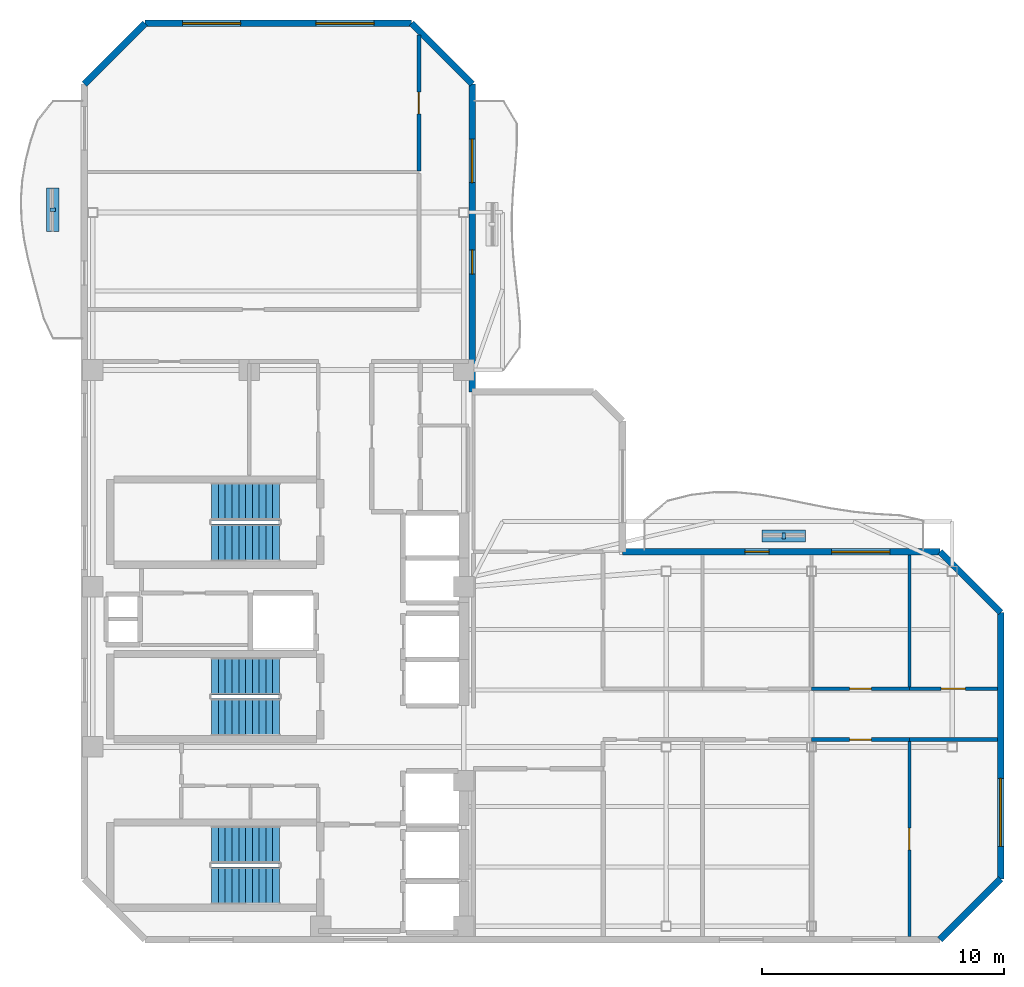
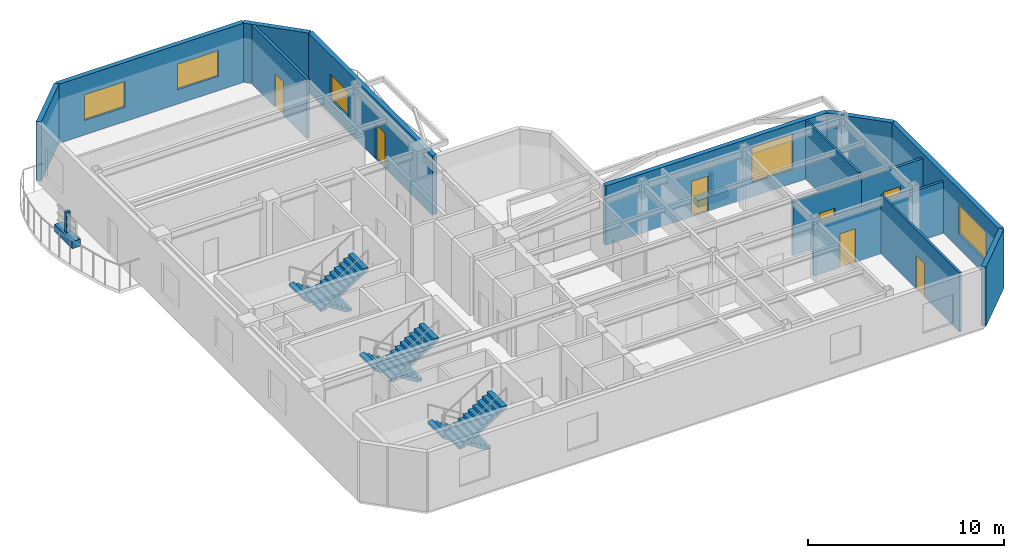
# One storey, part 5 of 8: 15 walls, 7 doors, 6 stair flights, 5 windows, 4 discrete accessories, 12 openings, 3 elements without a shape of their own.
"""IFC4 building model written with IfcOpenShell, lengths in metres."""

import ifcopenshell
import ifcopenshell.guid

model = None  # the IFC model being written
_history = None  # IfcOwnerHistory: only IFC2X3 demands one
_inside = {}  # id of a spatial element -> (the spatial element, [elements in it])
_under = {}  # id of a project, library or spatial element -> (it, [spatial elements below it])
_declared = {}  # id of a project -> (the project, [libraries it declares])
_typed = {}  # id of a type object -> (the type object, [elements of that type])
_made_of = {}  # id of a material, layer set ... -> (it, [elements and type objects made of it])


def new_model(schema):
    """Start an empty IFC model of exactly this schema.

    Asked for "IFC4X3", IfcOpenShell would pick the latest addendum, in which some entities
    have other attributes; the version numbers below select the first issue.
    IFC2X3 requires an IfcOwnerHistory on every rooted entity: one is made here for all.
    """
    global model, _history
    if schema == "IFC4X3":
        model = ifcopenshell.file(schema_version=(4, 3, 0, 0))
    else:
        model = ifcopenshell.file(schema=schema)
    _inside.clear()
    _under.clear()
    _declared.clear()
    _typed.clear()
    _made_of.clear()
    _history = None
    if model.schema == "IFC2X3":
        org = make("IfcOrganization", Name="unknown")
        user = make(
            "IfcPersonAndOrganization",
            ThePerson=make("IfcPerson", FamilyName="unknown"),
            TheOrganization=org,
        )
        app = make(
            "IfcApplication",
            ApplicationDeveloper=org,
            Version="unknown",
            ApplicationFullName="unknown",
            ApplicationIdentifier="unknown",
        )
        _history = make(
            "IfcOwnerHistory",
            OwningUser=user,
            OwningApplication=app,
            ChangeAction="ADDED",
            CreationDate=0,
        )
    return model


def make(cls, **values):
    """One entity of the class cls with the attributes given. An attribute that is None is left unset."""
    return model.create_entity(
        cls, **{name: value for name, value in values.items() if value is not None}
    )


def rooted(cls, **values):
    """An entity with a GlobalId (a new one), such as an element, a storey or a relation."""
    return make(cls, GlobalId=ifcopenshell.guid.new(), OwnerHistory=_history, **values)


def si_unit(unit_type, name, prefix=None):
    """IfcSIUnit, for example si_unit("LENGTHUNIT", "METRE", prefix="MILLI")."""
    return make("IfcSIUnit", UnitType=unit_type, Prefix=prefix, Name=name)


def assignment(units):
    """IfcUnitAssignment: the units of a project."""
    return None if units is None else make("IfcUnitAssignment", Units=units)


def point(xyz):
    """IfcCartesianPoint."""
    return None if xyz is None else make("IfcCartesianPoint", Coordinates=xyz)


def direction(xyz):
    """IfcDirection."""
    return None if xyz is None else make("IfcDirection", DirectionRatios=xyz)


def frame(location, z_axis=None, x_axis=None):
    """IfcAxis2Placement3D, a coordinate frame: its origin and axes. An axis left out is left unset."""
    return make(
        "IfcAxis2Placement3D",
        Location=point(location),
        Axis=direction(z_axis),
        RefDirection=direction(x_axis),
    )


def frame_2d(location, x_axis=None):
    """IfcAxis2Placement2D, a coordinate frame in the plane: its origin and x axis."""
    return make(
        "IfcAxis2Placement2D", Location=point(location), RefDirection=direction(x_axis)
    )


def origin():
    """The frame at (0, 0, 0) with its axes left unset."""
    return frame((0.0, 0.0, 0.0))


def origin_2d():
    """The frame at (0, 0) in the plane with its x axis left unset."""
    return frame_2d((0.0, 0.0))


def place(relative_to, where):
    """IfcLocalPlacement: puts the frame where relative to a parent placement (None: the world)."""
    return make(
        "IfcLocalPlacement", PlacementRelTo=relative_to, RelativePlacement=where
    )


def context(
    kind, dimensions, precision=None, world=None, true_north=None, identifier=None
):
    """IfcGeometricRepresentationContext, for example the 3D "Model" context."""
    return make(
        "IfcGeometricRepresentationContext",
        ContextIdentifier=identifier,
        ContextType=kind,
        CoordinateSpaceDimension=dimensions,
        Precision=precision,
        WorldCoordinateSystem=world,
        TrueNorth=true_north,
    )


def subcontext(parent, identifier, kind, view, scale=None):
    """IfcGeometricRepresentationSubContext, for example "Body" below "Model"."""
    return make(
        "IfcGeometricRepresentationSubContext",
        ContextIdentifier=identifier,
        ContextType=kind,
        ParentContext=parent,
        TargetScale=scale,
        TargetView=view,
    )


def project(units=None, contexts=None):
    """IfcProject with its units and contexts."""
    return rooted(
        "IfcProject",
        Name="project",
        RepresentationContexts=contexts,
        UnitsInContext=assignment(units),
    )


def spatial(cls, under=None, at=None, **own):
    """A site, building, storey or space (cls), placed at a placement, below another one or the project."""
    s = rooted(cls, ObjectPlacement=at, **own)
    if under is not None:
        _under.setdefault(under.id(), (under, []))[1].append(s)
    return s


def polyline(points):
    """IfcPolyline through the points."""
    return make("IfcPolyline", Points=[point(p) for p in points])


def profile(cls, at=None, kind="AREA", **sizes):
    """A parametric profile (cls). Its sizes go by their IFC names, for example OverallWidth=200.0."""
    return make(cls, ProfileType=kind, Position=at, **sizes)


def rectangle(**sizes):
    """IfcRectangleProfileDef."""
    return profile("IfcRectangleProfileDef", **sizes)


def outline(outer, holes=None, kind="AREA"):
    """IfcArbitraryClosedProfileDef: a profile drawn as a closed curve; with holes, ...WithVoids."""
    if holes is None:
        return make("IfcArbitraryClosedProfileDef", ProfileType=kind, OuterCurve=outer)
    return make(
        "IfcArbitraryProfileDefWithVoids",
        ProfileType=kind,
        OuterCurve=outer,
        InnerCurves=holes,
    )


def extrude(swept, where, along, depth):
    """IfcExtrudedAreaSolid: the profile swept, set in the frame where, extruded along a direction by depth."""
    return make(
        "IfcExtrudedAreaSolid",
        SweptArea=swept,
        Position=where,
        ExtrudedDirection=direction(along),
        Depth=depth,
    )


def shape(context_of_items, identifier, shape_type, items):
    """IfcShapeRepresentation: the items that make up one representation, for example the "Body"."""
    return make(
        "IfcShapeRepresentation",
        ContextOfItems=context_of_items,
        RepresentationIdentifier=identifier,
        RepresentationType=shape_type,
        Items=items,
    )


def material(Name=None, Category=None):
    """IfcMaterial."""
    return make("IfcMaterial", Name=Name, Category=Category)


def layer(
    of_material, thickness, ventilated=None, Name=None, Category=None, Priority=None
):
    """IfcMaterialLayer: one layer of a wall or slab, of a material (None: an air gap)."""
    return make(
        "IfcMaterialLayer",
        Material=of_material,
        LayerThickness=thickness,
        IsVentilated=ventilated,
        Name=Name,
        Category=Category,
        Priority=Priority,
    )


def layer_set(layers, Name=None):
    """IfcMaterialLayerSet."""
    return make("IfcMaterialLayerSet", MaterialLayers=layers, LayerSetName=Name)


def made_of(thing, what):
    """Note that an element or type object is made of a material, layer set ...; save() writes the relation."""
    if what is not None:
        _made_of.setdefault(what.id(), (what, []))[1].append(thing)
    return thing


def type_object(cls, material=None, **own):
    """A type object (cls), such as IfcWallType, which elements share."""
    return made_of(rooted(cls, **own), material)


def element(
    cls,
    number,
    at=None,
    inside=None,
    cuts=None,
    type_object=None,
    material=None,
    context=None,
    identifier="Body",
    shape_type=None,
    held_by="IfcProductDefinitionShape",
    body=None,
    shapes=None,
    **own,
):
    """One element of the class cls, such as IfcWall. Its Tag is "e" and its number.

    at: its placement. inside: the storey or other place that contains it. cuts: it is an
    opening in that element (IfcRelVoidsElement). A single representation is given by context,
    identifier, shape_type and body (its items); several are given by shapes. held_by: the class
    of the entity that holds the representations. save() writes the other relations.
    """
    e = rooted(cls, Tag="e%d" % number, ObjectPlacement=at, **own)
    if body is not None:
        shapes = [shape(context, identifier, shape_type, body)]
    if shapes is not None:
        e.Representation = make(held_by, Representations=shapes)
    if inside is not None:
        _inside.setdefault(inside.id(), (inside, []))[1].append(e)
    if cuts is not None:
        rooted(
            "IfcRelVoidsElement", RelatingBuildingElement=cuts, RelatedOpeningElement=e
        )
    if type_object is not None:
        _typed.setdefault(type_object.id(), (type_object, []))[1].append(e)
    return made_of(e, material)


def fill(opening, filler):
    """IfcRelFillsElement: the door or window that sits in an opening."""
    return rooted(
        "IfcRelFillsElement",
        RelatingOpeningElement=opening,
        RelatedBuildingElement=filler,
    )


def aggregate(whole, parts):
    """IfcRelAggregates: a whole, such as a stair, and the parts it consists of."""
    return rooted("IfcRelAggregates", RelatingObject=whole, RelatedObjects=parts)


def save(model, path):
    """Write the relations noted so far, then the file.

    IfcRelAggregates (storeys below a building ...), IfcRelContainedInSpatialStructure (elements
    in a storey), IfcRelDefinesByType, IfcRelAssociatesMaterial and IfcRelDeclares: one each for
    every whole, place, type object, material and project.
    """
    for whole, parts in _under.values():
        aggregate(whole, parts)
    for where, things in _inside.values():
        rooted(
            "IfcRelContainedInSpatialStructure",
            RelatedElements=things,
            RelatingStructure=where,
        )
    for kind, things in _typed.values():
        rooted("IfcRelDefinesByType", RelatedObjects=things, RelatingType=kind)
    for what, things in _made_of.values():
        rooted("IfcRelAssociatesMaterial", RelatedObjects=things, RelatingMaterial=what)
    for by, libraries in _declared.values():
        rooted("IfcRelDeclares", RelatingContext=by, RelatedDefinitions=libraries)
    model.write(path)


model = new_model("IFC4")

# Units and contexts
model_context = context("Model", 3, precision=1e-05, world=origin(), true_north=direction((0.0, 1.0)))
body_context = subcontext(model_context, "Body", "Model", "MODEL_VIEW")
ifc_project = project(units=[si_unit("LENGTHUNIT", "METRE"), si_unit("AREAUNIT", "SQUARE_METRE"), si_unit("VOLUMEUNIT", "CUBIC_METRE"), si_unit("PLANEANGLEUNIT", "RADIAN"), si_unit("MASSUNIT", "GRAM", prefix="KILO")], contexts=[model_context])

# Site, building, storey
site_placement = place(None, origin())
site = spatial("IfcSite", under=ifc_project, at=site_placement, CompositionType="ELEMENT")
building_placement = place(site_placement, origin())
building = spatial("IfcBuilding", under=site, at=building_placement, Name="Mawjaban Terraces University", CompositionType="ELEMENT")
storey_placement = place(building_placement, frame((0.0, 0.0, 271.60009765625)))
storey = spatial("IfcBuildingStorey", under=building, at=storey_placement, Name="L66", CompositionType="ELEMENT", Elevation=271.60009765625)

# Wall, opening, door
ifc_material_1 = material(Name="Fire-rated gypsum board on steel stud", Category="steel")
ifc_layer_1 = layer(ifc_material_1, 0.159912109375)
ifc_layer_set_1 = layer_set([ifc_layer_1], Name="Fire-rated gypsum board on steel stud")
wall_type_1 = type_object("IfcWallType", Name="CorridorPartition_160", PredefinedType="PARTITIONING", material=ifc_layer_set_1)
wall_1_placement = place(storey_placement, frame((52.0, 8.25, 0.0), z_axis=(0.0, 0.0, 1.0), x_axis=(1.0, 0.0, 0.0)))
wall_1 = element("IfcWall", 1, at=wall_1_placement, inside=storey, type_object=wall_type_1, Name="L66 Upper East Research Corridor Partition 20", PredefinedType="PARTITIONING", context=body_context, shape_type="SweptSolid", body=[
    extrude(rectangle(XDim=4.030029296875, YDim=0.159912109375, at=frame_2d((2.01513671875, 0.0))), origin(), (0.0, 0.0, 1.0), 3.220947265625),
])
opening_1_placement = place(wall_1_placement, frame((1.56494140625, 0.0, 0.0)))
opening_1 = element("IfcOpeningElement", 2, at=opening_1_placement, cuts=wall_1, Name="Opening ID-090", PredefinedType="OPENING", context=body_context, shape_type="SweptSolid", body=[
    extrude(rectangle(XDim=0.89990234375, YDim=2.10009765625, at=frame_2d((0.449951171875, 1.050048828125))), frame((0.0, 0.08984375, 0.0), z_axis=(0.0, -1.0, 0.0), x_axis=(1.0, 0.0, 0.0)), (0.0, 0.0, 1.0), 0.179931640625),
])
ifc_material_2 = material(Name="Powder-coated steel frame and solid acoustic timber leaf", Category="steel")
door_type_1 = type_object("IfcDoorType", Name="OfficeDoor_900x2100", OperationType="NOTDEFINED", PredefinedType="DOOR", material=ifc_material_2)
door_1_placement = place(opening_1_placement, origin())
door_1 = element("IfcDoor", 3, at=door_1_placement, inside=storey, type_object=door_type_1, Name="L66 Reading Salon 6 Door", OperationType="SINGLE_SWING_RIGHT", OverallHeight=2.10009765625, OverallWidth=0.89990234375, PredefinedType="DOOR", context=body_context, shape_type="SweptSolid", body=[
    extrude(rectangle(XDim=0.89990234375, YDim=2.10009765625, at=frame_2d((0.449951171875, 1.050048828125))), frame((0.0, 0.02490234375, 0.0), z_axis=(0.0, -1.0, 0.0), x_axis=(1.0, 0.0, 0.0)), (0.0, 0.0, 1.0), 0.050048828125),
])
fill(opening_1, door_1)

# Wall
wall_2_placement = place(storey_placement, frame((56.030029296875, 8.25, 0.0), z_axis=(0.0, 0.0, 1.0), x_axis=(1.0, 0.0, 0.0)))
element("IfcWall", 4, at=wall_2_placement, inside=storey, type_object=wall_type_1, Name="L66 Upper East Research Corridor Partition 22", PredefinedType="PARTITIONING", context=body_context, shape_type="SweptSolid", body=[
    extrude(rectangle(XDim=3.636962890625, YDim=0.159912109375, at=frame_2d((1.818359375, 0.0))), origin(), (0.0, 0.0, 1.0), 3.220947265625),
])

# Wall, opening, door
wall_3_placement = place(storey_placement, frame((56.030029296875, 10.35009765625, 0.0), z_axis=(0.0, 0.0, 1.0), x_axis=(-1.0, 0.0, 0.0)))
wall_3 = element("IfcWall", 5, at=wall_3_placement, inside=storey, type_object=wall_type_1, Name="L66 Upper East Research Corridor Partition 23", PredefinedType="PARTITIONING", context=body_context, shape_type="SweptSolid", body=[
    extrude(rectangle(XDim=4.030029296875, YDim=0.159912109375, at=frame_2d((2.01513671875, 0.0))), origin(), (0.0, 0.0, 1.0), 3.371826171875),
])
opening_2_placement = place(wall_3_placement, frame((1.56494140625, 0.0, 0.0)))
opening_2 = element("IfcOpeningElement", 6, at=opening_2_placement, cuts=wall_3, Name="Opening ID-090", PredefinedType="OPENING", context=body_context, shape_type="SweptSolid", body=[
    extrude(rectangle(XDim=0.89990234375, YDim=2.10009765625, at=frame_2d((0.449951171875, 1.050048828125))), frame((0.0, 0.08984375, 0.0), z_axis=(0.0, -1.0, 0.0), x_axis=(1.0, 0.0, 0.0)), (0.0, 0.0, 1.0), 0.179931640625),
])
door_2_placement = place(opening_2_placement, origin())
door_2 = element("IfcDoor", 7, at=door_2_placement, inside=storey, type_object=door_type_1, Name="L66 Academic Counseling Room 7 Door", OperationType="SINGLE_SWING_LEFT", OverallHeight=2.10009765625, OverallWidth=0.89990234375, PredefinedType="DOOR", context=body_context, shape_type="SweptSolid", body=[
    extrude(rectangle(XDim=0.89990234375, YDim=2.10009765625, at=frame_2d((0.449951171875, 1.050048828125))), frame((0.0, 0.02490234375, 0.0), z_axis=(0.0, -1.0, 0.0), x_axis=(1.0, 0.0, 0.0)), (0.0, 0.0, 1.0), 0.050048828125),
])
fill(opening_2, door_2)

wall_4_placement = place(storey_placement, frame((59.6669921875, 10.35009765625, 0.0), z_axis=(0.0, 0.0, 1.0), x_axis=(-1.0, 0.0, 0.0)))
wall_4 = element("IfcWall", 8, at=wall_4_placement, inside=storey, type_object=wall_type_1, Name="L66 Upper East Research Corridor Partition 24", PredefinedType="PARTITIONING", context=body_context, shape_type="SweptSolid", body=[
    extrude(rectangle(XDim=3.636962890625, YDim=0.159912109375, at=frame_2d((1.818359375, 0.0))), origin(), (0.0, 0.0, 1.0), 3.371826171875),
])
opening_3_placement = place(wall_4_placement, frame((1.319091796875, 0.0, 0.0)))
opening_3 = element("IfcOpeningElement", 9, at=opening_3_placement, cuts=wall_4, Name="Opening ID-100", PredefinedType="OPENING", context=body_context, shape_type="SweptSolid", body=[
    extrude(rectangle(XDim=1.0, YDim=2.10009765625, at=frame_2d((0.5, 1.050048828125))), frame((0.0, 0.08984375, 0.0), z_axis=(0.0, -1.0, 0.0), x_axis=(1.0, 0.0, 0.0)), (0.0, 0.0, 1.0), 0.179931640625),
])
door_type_2 = type_object("IfcDoorType", Name="ClassroomDoor_1000x2100", OperationType="NOTDEFINED", PredefinedType="DOOR", material=ifc_material_2)
door_3_placement = place(opening_3_placement, origin())
door_3 = element("IfcDoor", 10, at=door_3_placement, inside=storey, type_object=door_type_2, Name="L66 Classroom 9 Door", OperationType="SINGLE_SWING_LEFT", OverallHeight=2.10009765625, OverallWidth=1.0, PredefinedType="DOOR", context=body_context, shape_type="SweptSolid", body=[
    extrude(rectangle(XDim=1.0, YDim=2.10009765625, at=frame_2d((0.5, 1.050048828125))), frame((0.0, 0.02490234375, 0.0), z_axis=(0.0, -1.0, 0.0), x_axis=(1.0, 0.0, 0.0)), (0.0, 0.0, 1.0), 0.050048828125),
])
fill(opening_3, door_3)

wall_5_placement = place(storey_placement, frame((35.800048828125, 37.31298828125, 0.0), z_axis=(0.0, 0.0, 1.0), x_axis=(0.0, -1.0, 0.0)))
wall_5 = element("IfcWall", 11, at=wall_5_placement, inside=storey, type_object=wall_type_1, Name="L66 Upper North Research Gallery Partition 34", PredefinedType="PARTITIONING", context=body_context, shape_type="SweptSolid", body=[
    extrude(rectangle(XDim=5.594970703125, YDim=0.159912109375, at=frame_2d((2.79736328125, 0.0))), origin(), (0.0, 0.0, 1.0), 3.68994140625),
])
opening_4_placement = place(wall_5_placement, frame((2.347900390625, 0.0, 0.0)))
opening_4 = element("IfcOpeningElement", 12, at=opening_4_placement, cuts=wall_5, Name="Opening ID-090", PredefinedType="OPENING", context=body_context, shape_type="SweptSolid", body=[
    extrude(rectangle(XDim=0.89990234375, YDim=2.10009765625, at=frame_2d((0.449951171875, 1.050048828125))), frame((0.0, 0.08984375, 0.0), z_axis=(0.0, -1.0, 0.0), x_axis=(1.0, 0.0, 0.0)), (0.0, 0.0, 1.0), 0.179931640625),
])
door_4_placement = place(opening_4_placement, origin())
door_4 = element("IfcDoor", 13, at=door_4_placement, inside=storey, type_object=door_type_1, Name="L66 Faculty Office 11 Door", OperationType="SINGLE_SWING_LEFT", OverallHeight=2.10009765625, OverallWidth=0.89990234375, PredefinedType="DOOR", context=body_context, shape_type="SweptSolid", body=[
    extrude(rectangle(XDim=0.89990234375, YDim=2.10009765625, at=frame_2d((0.449951171875, 1.050048828125))), frame((0.0, 0.02490234375, 0.0), z_axis=(0.0, -1.0, 0.0), x_axis=(1.0, 0.0, 0.0)), (0.0, 0.0, 1.0), 0.050048828125),
])
fill(opening_4, door_4)

# Wall
ifc_material_3 = material(Name="Insulated terracotta rainscreen on concrete backup C40/50", Category="masonry")
ifc_layer_2 = layer(ifc_material_3, 0.27490234375)
ifc_layer_set_2 = layer_set([ifc_layer_2], Name="Insulated terracotta rainscreen on concrete backup C40/50")
wall_type_2 = type_object("IfcWallType", Name="ExtTerracottaWall_275", PredefinedType="SOLIDWALL", material=ifc_layer_set_2)
wall_6_placement = place(storey_placement, frame((57.300048828125, 0.0, 0.0), z_axis=(0.0, 0.0, 1.0), x_axis=(0.707106781187, 0.707106781187, 0.0)))
element("IfcWall", 14, at=wall_6_placement, inside=storey, type_object=wall_type_2, Name="L66 Exterior Terracotta Wall 2", PredefinedType="SOLIDWALL", context=body_context, shape_type="SweptSolid", body=[
    extrude(rectangle(XDim=3.53564453125, YDim=0.27490234375, at=frame_2d((1.767822265625, 0.0))), origin(), (0.0, 0.0, 1.0), 3.68994140625),
])

# Wall, opening, window
wall_7_placement = place(storey_placement, frame((59.800048828125, 2.5, 0.0), z_axis=(0.0, 0.0, 1.0), x_axis=(0.0, 1.0, 0.0)))
wall_7 = element("IfcWall", 15, at=wall_7_placement, inside=storey, type_object=wall_type_2, Name="L66 Exterior Terracotta Wall 3", PredefinedType="SOLIDWALL", context=body_context, shape_type="SweptSolid", body=[
    extrude(rectangle(XDim=11.0, YDim=0.27490234375, at=frame_2d((5.5, 0.0))), origin(), (0.0, 0.0, 1.0), 3.68994140625),
])
opening_5_placement = place(wall_7_placement, frame((1.35009765625, 0.0, 0.89990234375)))
opening_5 = element("IfcOpeningElement", 16, at=opening_5_placement, cuts=wall_7, Name="Opening W-09", PredefinedType="OPENING", context=body_context, shape_type="SweptSolid", body=[
    extrude(rectangle(XDim=2.800048828125, YDim=1.800048828125, at=frame_2d((1.39990234375, 0.89990234375))), frame((0.0, 0.1474609375, 0.0), z_axis=(0.0, -1.0, 0.0), x_axis=(1.0, 0.0, 0.0)), (0.0, 0.0, 1.0), 0.294921875),
])
ifc_material_4 = material(Name="Low-E solar-control double glazing in thermally broken aluminium frame", Category="aluminium")
window_type_1 = type_object("IfcWindowType", Name="Win_2800x1800", PartitioningType="SINGLE_PANEL", PredefinedType="WINDOW", material=ifc_material_4)
window_1_placement = place(opening_5_placement, origin())
window_1 = element("IfcWindow", 17, at=window_1_placement, inside=storey, type_object=window_type_1, Name="L66 Facade Window 3.1", OverallHeight=1.800048828125, OverallWidth=2.800048828125, PartitioningType="SINGLE_PANEL", PredefinedType="WINDOW", context=body_context, shape_type="SweptSolid", body=[
    extrude(rectangle(XDim=2.800048828125, YDim=1.800048828125, at=frame_2d((1.39990234375, 0.89990234375))), frame((0.0, 0.030029296875, 0.0), z_axis=(0.0, -1.0, 0.0), x_axis=(1.0, 0.0, 0.0)), (0.0, 0.0, 1.0), 0.06005859375),
])
fill(opening_5, window_1)

# Wall
wall_8_placement = place(storey_placement, frame((59.800048828125, 13.5, 0.0), z_axis=(0.0, 0.0, 1.0), x_axis=(-0.707106781187, 0.707106781187, 0.0)))
element("IfcWall", 18, at=wall_8_placement, inside=storey, type_object=wall_type_2, Name="L66 Exterior Terracotta Wall 4", PredefinedType="SOLIDWALL", context=body_context, shape_type="SweptSolid", body=[
    extrude(rectangle(XDim=3.53564453125, YDim=0.27490234375, at=frame_2d((1.767822265625, 0.0))), origin(), (0.0, 0.0, 1.0), 3.68994140625),
])

# Wall, openings, door, window
wall_9_placement = place(storey_placement, frame((57.300048828125, 16.0, 0.0), z_axis=(0.0, 0.0, 1.0), x_axis=(-1.0, 0.0, 0.0)))
wall_9 = element("IfcWall", 19, at=wall_9_placement, inside=storey, type_object=wall_type_2, Name="L66 Exterior Terracotta Wall 5", PredefinedType="SOLIDWALL", context=body_context, shape_type="SweptSolid", body=[
    extrude(rectangle(XDim=13.10009765625, YDim=0.27490234375, at=frame_2d((6.550048828125, 0.0))), origin(), (0.0, 0.0, 1.0), 3.68994140625),
])
opening_6_placement = place(wall_9_placement, frame((7.050048828125, 0.0, 0.0)))
opening_6 = element("IfcOpeningElement", 20, at=opening_6_placement, cuts=wall_9, Name="Opening BD-100", PredefinedType="OPENING", context=body_context, shape_type="SweptSolid", body=[
    extrude(rectangle(XDim=1.0, YDim=2.199951171875, at=frame_2d((0.5, 1.10009765625))), frame((0.0, 0.1474609375, 0.0), z_axis=(0.0, -1.0, 0.0), x_axis=(1.0, 0.0, 0.0)), (0.0, 0.0, 1.0), 0.294921875),
])
opening_7_placement = place(wall_9_placement, frame((2.074951171875, 0.0, 0.89990234375)))
opening_7 = element("IfcOpeningElement", 21, at=opening_7_placement, cuts=wall_9, Name="Opening W-11", PredefinedType="OPENING", context=body_context, shape_type="SweptSolid", body=[
    extrude(rectangle(XDim=2.39990234375, YDim=2.199951171875, at=frame_2d((1.199951171875, 1.10009765625))), frame((0.0, 0.1474609375, 0.0), z_axis=(0.0, -1.0, 0.0), x_axis=(1.0, 0.0, 0.0)), (0.0, 0.0, 1.0), 0.294921875),
])
ifc_material_5 = material(Name="Thermally broken anodised aluminium and laminated safety glass", Category="aluminium")
door_type_3 = type_object("IfcDoorType", Name="BalconyGlazedDoor_1000x2200", OperationType="NOTDEFINED", PredefinedType="DOOR", material=ifc_material_5)
door_5_placement = place(opening_6_placement, origin())
door_5 = element("IfcDoor", 22, at=door_5_placement, inside=storey, type_object=door_type_3, Name="L66 Balcony Access Door inner_north", OperationType="SINGLE_SWING_LEFT", OverallHeight=2.199951171875, OverallWidth=1.0, PredefinedType="DOOR", context=body_context, shape_type="SweptSolid", body=[
    extrude(rectangle(XDim=1.0, YDim=2.199951171875, at=frame_2d((0.5, 1.10009765625))), frame((0.0, 0.02490234375, 0.0), z_axis=(0.0, -1.0, 0.0), x_axis=(1.0, 0.0, 0.0)), (0.0, 0.0, 1.0), 0.050048828125),
])
fill(opening_6, door_5)
window_type_2 = type_object("IfcWindowType", Name="Win_2400x2200", PartitioningType="SINGLE_PANEL", PredefinedType="WINDOW", material=ifc_material_4)
window_2_placement = place(opening_7_placement, origin())
window_2 = element("IfcWindow", 23, at=window_2_placement, inside=storey, type_object=window_type_2, Name="L66 Facade Window 5.1", OverallHeight=2.199951171875, OverallWidth=2.39990234375, PartitioningType="SINGLE_PANEL", PredefinedType="WINDOW", context=body_context, shape_type="SweptSolid", body=[
    extrude(rectangle(XDim=2.39990234375, YDim=2.199951171875, at=frame_2d((1.199951171875, 1.10009765625))), frame((0.0, 0.030029296875, 0.0), z_axis=(0.0, -1.0, 0.0), x_axis=(1.0, 0.0, 0.0)), (0.0, 0.0, 1.0), 0.06005859375),
])
fill(opening_7, window_2)

wall_10_placement = place(storey_placement, frame((38.0, 22.60009765625, 0.0), z_axis=(0.0, 0.0, 1.0), x_axis=(0.0, 1.0, 0.0)))
wall_10 = element("IfcWall", 24, at=wall_10_placement, inside=storey, type_object=wall_type_2, Name="L66 Exterior Terracotta Wall 9", PredefinedType="SOLIDWALL", context=body_context, shape_type="SweptSolid", body=[
    extrude(rectangle(XDim=12.699951171875, YDim=0.27490234375, at=frame_2d((6.35009765625, 0.0))), origin(), (0.0, 0.0, 1.0), 3.68994140625),
])
opening_8_placement = place(wall_10_placement, frame((4.85009765625, 0.0, 0.0)))
opening_8 = element("IfcOpeningElement", 25, at=opening_8_placement, cuts=wall_10, Name="Opening BD-100", PredefinedType="OPENING", context=body_context, shape_type="SweptSolid", body=[
    extrude(rectangle(XDim=1.0, YDim=2.199951171875, at=frame_2d((0.5, 1.10009765625))), frame((0.0, 0.1474609375, 0.0), z_axis=(0.0, -1.0, 0.0), x_axis=(1.0, 0.0, 0.0)), (0.0, 0.0, 1.0), 0.294921875),
])
opening_9_placement = place(wall_10_placement, frame((8.625, 0.0, 0.89990234375)))
opening_9 = element("IfcOpeningElement", 26, at=opening_9_placement, cuts=wall_10, Name="Opening W-03", PredefinedType="OPENING", context=body_context, shape_type="SweptSolid", body=[
    extrude(rectangle(XDim=1.800048828125, YDim=1.60009765625, at=frame_2d((0.89990234375, 0.800048828125))), frame((0.0, 0.1474609375, 0.0), z_axis=(0.0, -1.0, 0.0), x_axis=(1.0, 0.0, 0.0)), (0.0, 0.0, 1.0), 0.294921875),
])
door_6_placement = place(opening_8_placement, origin())
door_6 = element("IfcDoor", 27, at=door_6_placement, inside=storey, type_object=door_type_3, Name="L66 Balcony Access Door inner_east", OperationType="SINGLE_SWING_LEFT", OverallHeight=2.199951171875, OverallWidth=1.0, PredefinedType="DOOR", context=body_context, shape_type="SweptSolid", body=[
    extrude(rectangle(XDim=1.0, YDim=2.199951171875, at=frame_2d((0.5, 1.10009765625))), frame((0.0, 0.02490234375, 0.0), z_axis=(0.0, -1.0, 0.0), x_axis=(1.0, 0.0, 0.0)), (0.0, 0.0, 1.0), 0.050048828125),
])
fill(opening_8, door_6)
window_type_3 = type_object("IfcWindowType", Name="Win_1800x1600", PartitioningType="SINGLE_PANEL", PredefinedType="WINDOW", material=ifc_material_4)
window_3_placement = place(opening_9_placement, origin())
window_3 = element("IfcWindow", 28, at=window_3_placement, inside=storey, type_object=window_type_3, Name="L66 Facade Window 9.2", OverallHeight=1.60009765625, OverallWidth=1.800048828125, PartitioningType="SINGLE_PANEL", PredefinedType="WINDOW", context=body_context, shape_type="SweptSolid", body=[
    extrude(rectangle(XDim=1.800048828125, YDim=1.60009765625, at=frame_2d((0.89990234375, 0.800048828125))), frame((0.0, 0.030029296875, 0.0), z_axis=(0.0, -1.0, 0.0), x_axis=(1.0, 0.0, 0.0)), (0.0, 0.0, 1.0), 0.06005859375),
])
fill(opening_9, window_3)

# Wall
wall_11_placement = place(storey_placement, frame((38.0, 35.300048828125, 0.0), z_axis=(0.0, 0.0, 1.0), x_axis=(-0.707106781187, 0.707106781187, 0.0)))
element("IfcWall", 29, at=wall_11_placement, inside=storey, type_object=wall_type_2, Name="L66 Exterior Terracotta Wall 10", PredefinedType="SOLIDWALL", context=body_context, shape_type="SweptSolid", body=[
    extrude(rectangle(XDim=3.53564453125, YDim=0.27490234375, at=frame_2d((1.767822265625, 0.0))), origin(), (0.0, 0.0, 1.0), 3.68994140625),
])

# Wall, openings, windows
wall_12_placement = place(storey_placement, frame((35.5, 37.800048828125, 0.0), z_axis=(0.0, 0.0, 1.0), x_axis=(-1.0, 0.0, 0.0)))
wall_12 = element("IfcWall", 30, at=wall_12_placement, inside=storey, type_object=wall_type_2, Name="L66 Exterior Terracotta Wall 11", PredefinedType="SOLIDWALL", context=body_context, shape_type="SweptSolid", body=[
    extrude(rectangle(XDim=11.0, YDim=0.27490234375, at=frame_2d((5.5, 0.0))), origin(), (0.0, 0.0, 1.0), 3.68994140625),
])
opening_10_placement = place(wall_12_placement, frame((1.550048828125, 0.0, 0.89990234375)))
opening_10 = element("IfcOpeningElement", 31, at=opening_10_placement, cuts=wall_12, Name="Opening W-05", PredefinedType="OPENING", context=body_context, shape_type="SweptSolid", body=[
    extrude(rectangle(XDim=2.39990234375, YDim=1.60009765625, at=frame_2d((1.199951171875, 0.800048828125))), frame((0.0, 0.1474609375, 0.0), z_axis=(0.0, -1.0, 0.0), x_axis=(1.0, 0.0, 0.0)), (0.0, 0.0, 1.0), 0.294921875),
])
opening_11_placement = place(wall_12_placement, frame((7.050048828125, 0.0, 0.89990234375)))
opening_11 = element("IfcOpeningElement", 32, at=opening_11_placement, cuts=wall_12, Name="Opening W-05", PredefinedType="OPENING", context=body_context, shape_type="SweptSolid", body=[
    extrude(rectangle(XDim=2.39990234375, YDim=1.60009765625, at=frame_2d((1.199951171875, 0.800048828125))), frame((0.0, 0.1474609375, 0.0), z_axis=(0.0, -1.0, 0.0), x_axis=(1.0, 0.0, 0.0)), (0.0, 0.0, 1.0), 0.294921875),
])
window_type_4 = type_object("IfcWindowType", Name="Win_2400x1600", PartitioningType="SINGLE_PANEL", PredefinedType="WINDOW", material=ifc_material_4)
window_4_placement = place(opening_10_placement, origin())
window_4 = element("IfcWindow", 33, at=window_4_placement, inside=storey, type_object=window_type_4, Name="L66 Facade Window 11.1", OverallHeight=1.60009765625, OverallWidth=2.39990234375, PartitioningType="SINGLE_PANEL", PredefinedType="WINDOW", context=body_context, shape_type="SweptSolid", body=[
    extrude(rectangle(XDim=2.39990234375, YDim=1.60009765625, at=frame_2d((1.199951171875, 0.800048828125))), frame((0.0, 0.030029296875, 0.0), z_axis=(0.0, -1.0, 0.0), x_axis=(1.0, 0.0, 0.0)), (0.0, 0.0, 1.0), 0.06005859375),
])
fill(opening_10, window_4)
window_5_placement = place(opening_11_placement, origin())
window_5 = element("IfcWindow", 34, at=window_5_placement, inside=storey, type_object=window_type_4, Name="L66 Facade Window 11.2", OverallHeight=1.60009765625, OverallWidth=2.39990234375, PartitioningType="SINGLE_PANEL", PredefinedType="WINDOW", context=body_context, shape_type="SweptSolid", body=[
    extrude(rectangle(XDim=2.39990234375, YDim=1.60009765625, at=frame_2d((1.199951171875, 0.800048828125))), frame((0.0, 0.030029296875, 0.0), z_axis=(0.0, -1.0, 0.0), x_axis=(1.0, 0.0, 0.0)), (0.0, 0.0, 1.0), 0.06005859375),
])
fill(opening_11, window_5)

# Wall
wall_13_placement = place(storey_placement, frame((24.5, 37.800048828125, 0.0), z_axis=(0.0, 0.0, 1.0), x_axis=(-0.707106781187, -0.707106781187, 0.0)))
element("IfcWall", 35, at=wall_13_placement, inside=storey, type_object=wall_type_2, Name="L66 Exterior Terracotta Wall 12", PredefinedType="SOLIDWALL", context=body_context, shape_type="SweptSolid", body=[
    extrude(rectangle(XDim=3.53564453125, YDim=0.27490234375, at=frame_2d((1.767822265625, 0.0))), origin(), (0.0, 0.0, 1.0), 3.68994140625),
])

# Wall, opening, door
ifc_material_6 = material(Name="Gypsum plasterboard on steel stud", Category="steel")
ifc_layer_3 = layer(ifc_material_6, 0.125)
ifc_layer_set_3 = layer_set([ifc_layer_3], Name="Gypsum plasterboard on steel stud")
wall_type_3 = type_object("IfcWallType", Name="OfficePartition_125", PredefinedType="PARTITIONING", material=ifc_layer_set_3)
wall_14_placement = place(storey_placement, frame((56.030029296875, 0.133056640625, 0.0), z_axis=(0.0, 0.0, 1.0), x_axis=(0.0, 1.0, 0.0)))
wall_14 = element("IfcWall", 36, at=wall_14_placement, inside=storey, type_object=wall_type_3, Name="L66 Reading Salon 6 Partition 48", PredefinedType="PARTITIONING", context=body_context, shape_type="SweptSolid", body=[
    extrude(rectangle(XDim=8.0419921875, YDim=0.125, at=frame_2d((4.02099609375, 0.0))), origin(), (0.0, 0.0, 1.0), 3.68994140625),
])
opening_12_placement = place(wall_14_placement, frame((3.571044921875, 0.0, 0.0)))
opening_12 = element("IfcOpeningElement", 37, at=opening_12_placement, cuts=wall_14, Name="Opening ID-090", PredefinedType="OPENING", context=body_context, shape_type="SweptSolid", body=[
    extrude(rectangle(XDim=0.89990234375, YDim=2.10009765625, at=frame_2d((0.449951171875, 1.050048828125))), frame((0.0, 0.072509765625, 0.0), z_axis=(0.0, -1.0, 0.0), x_axis=(1.0, 0.0, 0.0)), (0.0, 0.0, 1.0), 0.14501953125),
])
door_7_placement = place(opening_12_placement, origin())
door_7 = element("IfcDoor", 38, at=door_7_placement, inside=storey, type_object=door_type_1, Name="L66 Academic Counseling Room 8 Door", OperationType="SINGLE_SWING_RIGHT", OverallHeight=2.10009765625, OverallWidth=0.89990234375, PredefinedType="DOOR", context=body_context, shape_type="SweptSolid", body=[
    extrude(rectangle(XDim=0.89990234375, YDim=2.10009765625, at=frame_2d((0.449951171875, 1.050048828125))), frame((0.0, 0.02490234375, 0.0), z_axis=(0.0, -1.0, 0.0), x_axis=(1.0, 0.0, 0.0)), (0.0, 0.0, 1.0), 0.050048828125),
])
fill(opening_12, door_7)

# Wall
wall_15_placement = place(storey_placement, frame((56.030029296875, 10.425048828125, 0.0), z_axis=(0.0, 0.0, 1.0), x_axis=(0.0, 1.0, 0.0)))
element("IfcWall", 39, at=wall_15_placement, inside=storey, type_object=wall_type_3, Name="L66 Academic Counseling Room 7 Partition 49", PredefinedType="PARTITIONING", context=body_context, shape_type="SweptSolid", body=[
    extrude(rectangle(XDim=5.44189453125, YDim=0.125, at=frame_2d((2.720947265625, 0.0))), origin(), (0.0, 0.0, 1.0), 3.68994140625),
])

# Stair, stair flights
ifc_material_7 = material(Name="Concrete C40/50", Category="concrete")
stair_type = type_object("IfcStairType", Name="Stair_Core1550_H39", PredefinedType="HALF_TURN_STAIR", material=ifc_material_7)
stair_1_placement = place(storey_placement, origin())
stair_1 = element("IfcStair", 40, at=stair_1_placement, inside=storey, type_object=stair_type, Name="L66 Core Exit Stair 1", PredefinedType="HALF_TURN_STAIR")
stair_flight_type = type_object("IfcStairFlightType", Name="Flight_Core1550_H39", PredefinedType="STRAIGHT", material=ifc_material_7)
stair_flight_1_placement = place(storey_placement, frame((30.050048828125, 3.925048828125, 0.0), z_axis=(0.0, 0.0, 1.0), x_axis=(-1.0, 0.0, 0.0)))
stair_flight_1 = element("IfcStairFlight", 41, at=stair_flight_1_placement, type_object=stair_flight_type, Name="ST-1 flight 1", NumberOfRisers=11, NumberOfTreads=10, PredefinedType="STRAIGHT", RiserHeight=0.177272727, TreadLength=0.28, context=body_context, shape_type="SweptSolid", body=[
    extrude(outline(polyline([(0.0, 0.0), (0.0, 0.17724609375), (0.280029296875, 0.17724609375), (0.280029296875, 0.3544921875), (0.56005859375, 0.3544921875), (0.56005859375, 0.53173828125), (0.840087890625, 0.53173828125), (0.840087890625, 0.708984375), (1.1201171875, 0.708984375), (1.1201171875, 0.886474609375), (1.39990234375, 0.886474609375), (1.39990234375, 1.063720703125), (1.679931640625, 1.063720703125), (1.679931640625, 1.240966796875), (1.9599609375, 1.240966796875), (1.9599609375, 1.418212890625), (2.239990234375, 1.418212890625), (2.239990234375, 1.595458984375), (2.52001953125, 1.595458984375), (2.52001953125, 1.772705078125), (2.800048828125, 1.772705078125), (2.800048828125, 1.949951171875), (2.800048828125, 1.59521484375), (0.2802734375, 0.0), (0.0, 0.0)])), frame((0.0, 0.77490234375, 0.0), z_axis=(0.0, -1.0, 0.0), x_axis=(1.0, 0.0, 0.0)), (0.0, 0.0, 1.0), 1.550048828125),
])
stair_flight_2_placement = place(storey_placement, frame((27.25, 2.22509765625, 1.949951171875), z_axis=(0.0, 0.0, 1.0), x_axis=(1.0, 0.0, 0.0)))
stair_flight_2 = element("IfcStairFlight", 42, at=stair_flight_2_placement, type_object=stair_flight_type, Name="ST-1 flight 2", NumberOfRisers=11, NumberOfTreads=10, PredefinedType="STRAIGHT", RiserHeight=0.177272727, TreadLength=0.28, context=body_context, shape_type="SweptSolid", body=[
    extrude(outline(polyline([(0.0, 0.0), (0.0, 0.17724609375), (0.280029296875, 0.17724609375), (0.280029296875, 0.3544921875), (0.56005859375, 0.3544921875), (0.56005859375, 0.53173828125), (0.840087890625, 0.53173828125), (0.840087890625, 0.708984375), (1.1201171875, 0.708984375), (1.1201171875, 0.886474609375), (1.39990234375, 0.886474609375), (1.39990234375, 1.063720703125), (1.679931640625, 1.063720703125), (1.679931640625, 1.240966796875), (1.9599609375, 1.240966796875), (1.9599609375, 1.418212890625), (2.239990234375, 1.418212890625), (2.239990234375, 1.595458984375), (2.52001953125, 1.595458984375), (2.52001953125, 1.772705078125), (2.800048828125, 1.772705078125), (2.800048828125, 1.949951171875), (2.800048828125, 1.59521484375), (0.2802734375, 0.0), (0.0, 0.0)])), frame((0.0, 0.77490234375, 0.0), z_axis=(0.0, -1.0, 0.0), x_axis=(1.0, 0.0, 0.0)), (0.0, 0.0, 1.0), 1.550048828125),
])
aggregate(stair_1, [stair_flight_1, stair_flight_2])

stair_2_placement = place(storey_placement, origin())
stair_2 = element("IfcStair", 43, at=stair_2_placement, inside=storey, type_object=stair_type, Name="L66 Core Exit Stair 2", PredefinedType="HALF_TURN_STAIR")
stair_flight_3_placement = place(storey_placement, frame((30.050048828125, 18.074951171875, 0.0), z_axis=(0.0, 0.0, 1.0), x_axis=(-1.0, 0.0, 0.0)))
stair_flight_3 = element("IfcStairFlight", 44, at=stair_flight_3_placement, type_object=stair_flight_type, Name="ST-2 flight 1", NumberOfRisers=11, NumberOfTreads=10, PredefinedType="STRAIGHT", RiserHeight=0.177272727, TreadLength=0.28, context=body_context, shape_type="SweptSolid", body=[
    extrude(outline(polyline([(0.0, 0.0), (0.0, 0.17724609375), (0.280029296875, 0.17724609375), (0.280029296875, 0.3544921875), (0.56005859375, 0.3544921875), (0.56005859375, 0.53173828125), (0.840087890625, 0.53173828125), (0.840087890625, 0.708984375), (1.1201171875, 0.708984375), (1.1201171875, 0.886474609375), (1.39990234375, 0.886474609375), (1.39990234375, 1.063720703125), (1.679931640625, 1.063720703125), (1.679931640625, 1.240966796875), (1.9599609375, 1.240966796875), (1.9599609375, 1.418212890625), (2.239990234375, 1.418212890625), (2.239990234375, 1.595458984375), (2.52001953125, 1.595458984375), (2.52001953125, 1.772705078125), (2.800048828125, 1.772705078125), (2.800048828125, 1.949951171875), (2.800048828125, 1.59521484375), (0.2802734375, 0.0), (0.0, 0.0)])), frame((0.0, 0.77490234375, 0.0), z_axis=(0.0, -1.0, 0.0), x_axis=(1.0, 0.0, 0.0)), (0.0, 0.0, 1.0), 1.550048828125),
])
stair_flight_4_placement = place(storey_placement, frame((27.25, 16.375, 1.949951171875), z_axis=(0.0, 0.0, 1.0), x_axis=(1.0, 0.0, 0.0)))
stair_flight_4 = element("IfcStairFlight", 45, at=stair_flight_4_placement, type_object=stair_flight_type, Name="ST-2 flight 2", NumberOfRisers=11, NumberOfTreads=10, PredefinedType="STRAIGHT", RiserHeight=0.177272727, TreadLength=0.28, context=body_context, shape_type="SweptSolid", body=[
    extrude(outline(polyline([(0.0, 0.0), (0.0, 0.17724609375), (0.280029296875, 0.17724609375), (0.280029296875, 0.3544921875), (0.56005859375, 0.3544921875), (0.56005859375, 0.53173828125), (0.840087890625, 0.53173828125), (0.840087890625, 0.708984375), (1.1201171875, 0.708984375), (1.1201171875, 0.886474609375), (1.39990234375, 0.886474609375), (1.39990234375, 1.063720703125), (1.679931640625, 1.063720703125), (1.679931640625, 1.240966796875), (1.9599609375, 1.240966796875), (1.9599609375, 1.418212890625), (2.239990234375, 1.418212890625), (2.239990234375, 1.595458984375), (2.52001953125, 1.595458984375), (2.52001953125, 1.772705078125), (2.800048828125, 1.772705078125), (2.800048828125, 1.949951171875), (2.800048828125, 1.59521484375), (0.2802734375, 0.0), (0.0, 0.0)])), frame((0.0, 0.77490234375, 0.0), z_axis=(0.0, -1.0, 0.0), x_axis=(1.0, 0.0, 0.0)), (0.0, 0.0, 1.0), 1.550048828125),
])
aggregate(stair_2, [stair_flight_3, stair_flight_4])

stair_3_placement = place(storey_placement, origin())
stair_3 = element("IfcStair", 46, at=stair_3_placement, inside=storey, type_object=stair_type, Name="L66 Core Exit Stair 3", PredefinedType="HALF_TURN_STAIR")
stair_flight_5_placement = place(storey_placement, frame((30.050048828125, 10.875, 0.0), z_axis=(0.0, 0.0, 1.0), x_axis=(-1.0, 0.0, 0.0)))
stair_flight_5 = element("IfcStairFlight", 47, at=stair_flight_5_placement, type_object=stair_flight_type, Name="ST-3 flight 1", NumberOfRisers=11, NumberOfTreads=10, PredefinedType="STRAIGHT", RiserHeight=0.177272727, TreadLength=0.28, context=body_context, shape_type="SweptSolid", body=[
    extrude(outline(polyline([(0.0, 0.0), (0.0, 0.17724609375), (0.280029296875, 0.17724609375), (0.280029296875, 0.3544921875), (0.56005859375, 0.3544921875), (0.56005859375, 0.53173828125), (0.840087890625, 0.53173828125), (0.840087890625, 0.708984375), (1.1201171875, 0.708984375), (1.1201171875, 0.886474609375), (1.39990234375, 0.886474609375), (1.39990234375, 1.063720703125), (1.679931640625, 1.063720703125), (1.679931640625, 1.240966796875), (1.9599609375, 1.240966796875), (1.9599609375, 1.418212890625), (2.239990234375, 1.418212890625), (2.239990234375, 1.595458984375), (2.52001953125, 1.595458984375), (2.52001953125, 1.772705078125), (2.800048828125, 1.772705078125), (2.800048828125, 1.949951171875), (2.800048828125, 1.59521484375), (0.2802734375, 0.0), (0.0, 0.0)])), frame((0.0, 0.77490234375, 0.0), z_axis=(0.0, -1.0, 0.0), x_axis=(1.0, 0.0, 0.0)), (0.0, 0.0, 1.0), 1.550048828125),
])
stair_flight_6_placement = place(storey_placement, frame((27.25, 9.175048828125, 1.949951171875), z_axis=(0.0, 0.0, 1.0), x_axis=(1.0, 0.0, 0.0)))
stair_flight_6 = element("IfcStairFlight", 48, at=stair_flight_6_placement, type_object=stair_flight_type, Name="ST-3 flight 2", NumberOfRisers=11, NumberOfTreads=10, PredefinedType="STRAIGHT", RiserHeight=0.177272727, TreadLength=0.28, context=body_context, shape_type="SweptSolid", body=[
    extrude(outline(polyline([(0.0, 0.0), (0.0, 0.17724609375), (0.280029296875, 0.17724609375), (0.280029296875, 0.3544921875), (0.56005859375, 0.3544921875), (0.56005859375, 0.53173828125), (0.840087890625, 0.53173828125), (0.840087890625, 0.708984375), (1.1201171875, 0.708984375), (1.1201171875, 0.886474609375), (1.39990234375, 0.886474609375), (1.39990234375, 1.063720703125), (1.679931640625, 1.063720703125), (1.679931640625, 1.240966796875), (1.9599609375, 1.240966796875), (1.9599609375, 1.418212890625), (2.239990234375, 1.418212890625), (2.239990234375, 1.595458984375), (2.52001953125, 1.595458984375), (2.52001953125, 1.772705078125), (2.800048828125, 1.772705078125), (2.800048828125, 1.949951171875), (2.800048828125, 1.59521484375), (0.2802734375, 0.0), (0.0, 0.0)])), frame((0.0, 0.77490234375, 0.0), z_axis=(0.0, -1.0, 0.0), x_axis=(1.0, 0.0, 0.0)), (0.0, 0.0, 1.0), 1.550048828125),
])
aggregate(stair_3, [stair_flight_5, stair_flight_6])

# Discrete accessories
ifc_material_8 = material(Name="Stainless steel 316L", Category="steel")
discrete_accessory_type_1 = type_object("IfcDiscreteAccessoryType", Name="FacadeScreenBracket_Steel", PredefinedType="BRACKET", material=ifc_material_8)
for number, where, z_axis, x_axis, name in (
    (49, (20.697021484375, 30.10791015625, 0.419921875), (0.0, 0.0, 1.0), (0.0, 1.0, 0.0), "L66 Balcony Screen Support Bracket west"),
    (50, (50.85009765625, 16.64501953125, 0.419921875), (0.0, 0.0, 1.0), (1.0, 0.0, 0.0), "L66 Balcony Screen Support Bracket inner_north"),
):
    element("IfcDiscreteAccessory", number, at=place(storey_placement, frame(where, z_axis=z_axis, x_axis=x_axis)), inside=storey, type_object=discrete_accessory_type_1, Name=name, PredefinedType="BRACKET", context=body_context, shape_type="SweptSolid", body=[
        extrude(rectangle(XDim=0.159912109375, YDim=0.239990234375, at=origin_2d()), origin(), (0.0, 0.0, 1.0), 1.300048828125),
    ])
ifc_material_9 = material(Name="Precast architectural terracotta planter with engineered planting soil", Category="masonry")
discrete_accessory_type_2 = type_object("IfcDiscreteAccessoryType", Name="IrrigatedPlanterTrough_450", PredefinedType="USERDEFINED", material=ifc_material_9)
for number, where, z_axis, x_axis, name in (
    (51, (20.697021484375, 30.10791015625, -0.0048828125), (0.0, 0.0, 1.0), (0.0, 1.0, 0.0), "L66 Balcony Irrigated Planter west"),
    (52, (50.85009765625, 16.64501953125, -0.0048828125), (0.0, 0.0, 1.0), (1.0, 0.0, 0.0), "L66 Balcony Irrigated Planter inner_north"),
):
    element("IfcDiscreteAccessory", number, at=place(storey_placement, frame(where, z_axis=z_axis, x_axis=x_axis)), inside=storey, type_object=discrete_accessory_type_2, Name=name, ObjectType="PLANTER", PredefinedType="USERDEFINED", context=body_context, shape_type="SweptSolid", body=[
        extrude(rectangle(XDim=1.800048828125, YDim=0.5, at=origin_2d()), origin(), (0.0, 0.0, 1.0), 0.449951171875),
    ])

save(model, "model.ifc")
